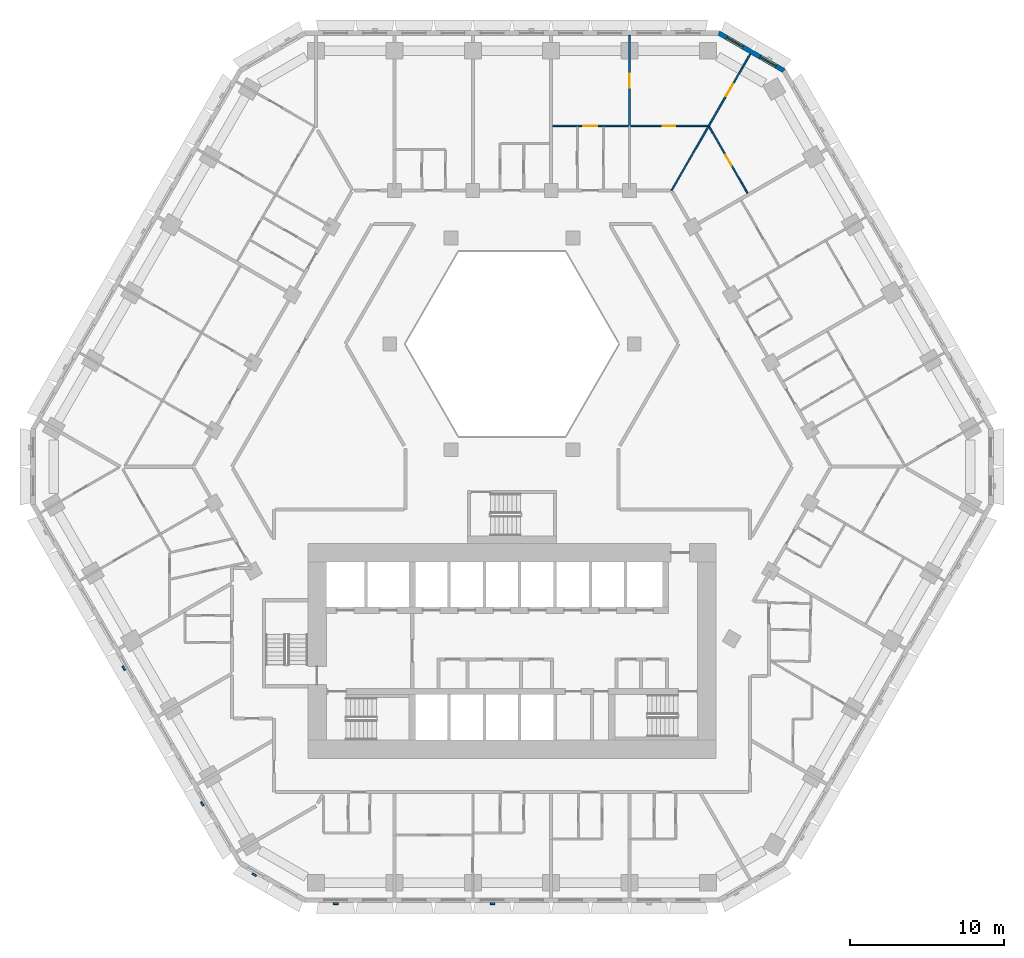
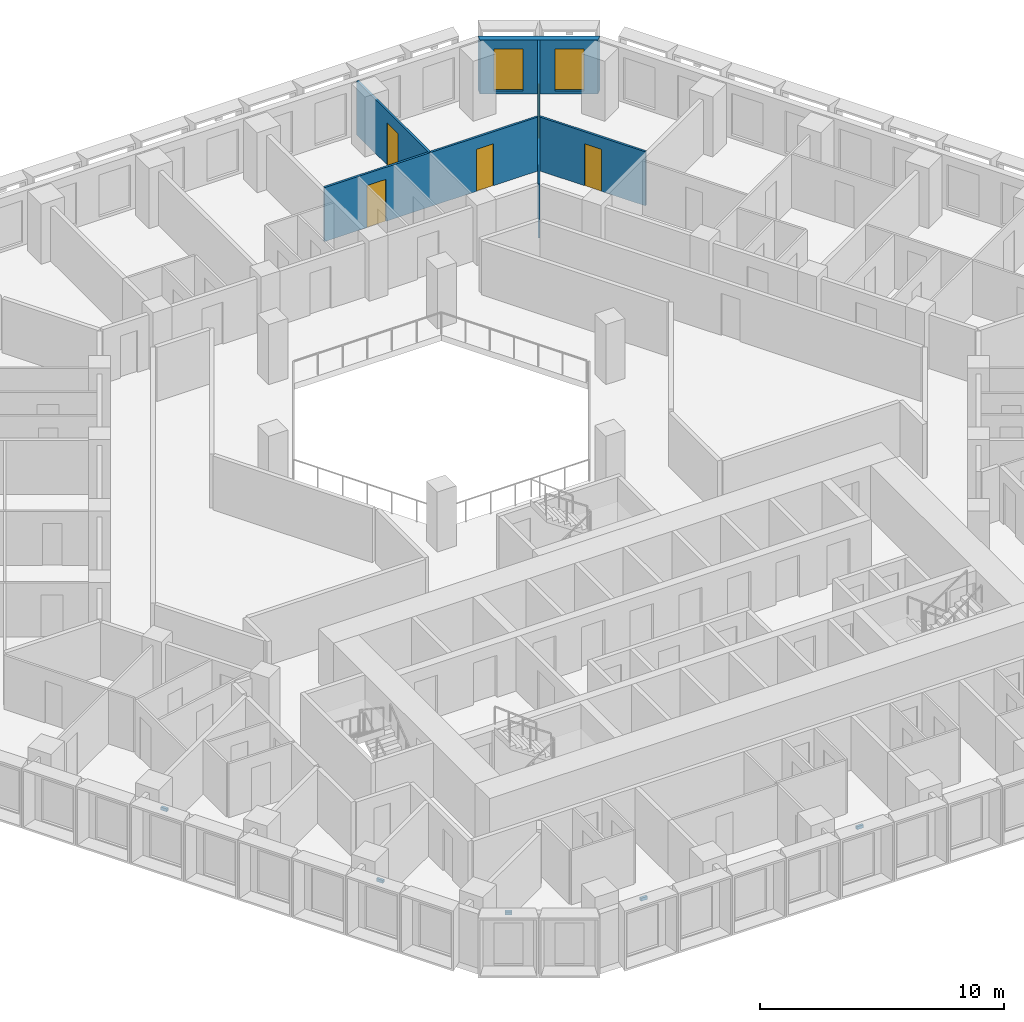
# One storey, part 12 of 21: 5 discrete accessories, 5 doors, 5 walls, 2 windows, 7 openings.
"""IFC4 building model written with IfcOpenShell, lengths in metres."""

from ifc_helpers import new_model, si_unit, direction, frame, frame_2d, origin, place, context, subcontext, project, spatial, polyline, rectangle, outline, extrude, source, transform, mapped, material, layer, layer_set, type_object, type_shapes, element, fill, save


model = new_model("IFC4")

# Units and contexts
model_context = context("Model", 3, precision=1e-05, world=origin(), true_north=direction((0.0, 1.0)))
body_context = subcontext(model_context, "Body", "Model", "MODEL_VIEW")
ifc_project = project(units=[si_unit("LENGTHUNIT", "METRE"), si_unit("AREAUNIT", "SQUARE_METRE"), si_unit("VOLUMEUNIT", "CUBIC_METRE"), si_unit("PLANEANGLEUNIT", "RADIAN"), si_unit("MASSUNIT", "GRAM", prefix="KILO")], contexts=[model_context])

# Site, building, storey
site_placement = place(None, origin())
site = spatial("IfcSite", under=ifc_project, at=site_placement, CompositionType="ELEMENT")
building_placement = place(site_placement, origin())
building = spatial("IfcBuilding", under=site, at=building_placement, Name="Beryl Residences", CompositionType="ELEMENT")
storey_placement = place(building_placement, frame((0.0, 0.0, 35.39990234375)))
storey = spatial("IfcBuildingStorey", under=building, at=storey_placement, Name="L10", CompositionType="ELEMENT", Elevation=35.39990234375)

# Wall, openings, windows
ifc_material_1 = material(Name="Composite metal panel with mineral wool insulation")
ifc_layer_1 = layer(ifc_material_1, 0.300048828125)
ifc_layer_set_1 = layer_set([ifc_layer_1], Name="ES1 pale metal composite panel wall 300 mm")
wall_type_1 = type_object("IfcWallType", Name="ES1 pale metal composite panel wall 300 mm", PredefinedType="SOLIDWALL", material=ifc_layer_set_1)
wall_1_placement = place(storey_placement, frame((17.764892578125, 25.77001953125, 0.0), z_axis=(0.0, 0.0, 1.0), x_axis=(-0.866010750942, 0.50002537861, 0.0)))
wall_1 = element("IfcWall", 1, at=wall_1_placement, inside=storey, type_object=wall_type_1, Name="ES1 external wall L10 NE-N", PredefinedType="SOLIDWALL", context=body_context, shape_type="SweptSolid", body=[
    extrude(outline(polyline([(0.0, -0.14990234375), (4.999755859375, -0.14990234375), (4.91943359375, 0.14990234375), (0.080322265625, 0.14990234375), (0.0, -0.14990234375)])), origin(), (0.0, 0.0, 1.0), 2.7001953125),
])
opening_1_placement = place(wall_1_placement, frame((0.64990234375, 0.0, 0.14990234375)))
opening_1 = element("IfcOpeningElement", 2, at=opening_1_placement, cuts=wall_1, Name="Opening W2", PredefinedType="OPENING", context=body_context, shape_type="SweptSolid", body=[
    extrude(rectangle(XDim=1.199951171875, YDim=2.10009765625, at=frame_2d((0.60009765625, 1.050048828125))), frame((0.0, 0.159912109375, 0.0), z_axis=(0.0, -1.0, 0.0), x_axis=(1.0, 0.0, 0.0)), (0.0, 0.0, 1.0), 0.320068359375),
])
opening_2_placement = place(wall_1_placement, frame((3.14990234375, 0.0, 0.14990234375)))
opening_2 = element("IfcOpeningElement", 3, at=opening_2_placement, cuts=wall_1, Name="Opening W2", PredefinedType="OPENING", context=body_context, shape_type="SweptSolid", body=[
    extrude(rectangle(XDim=1.199951171875, YDim=2.10009765625, at=frame_2d((0.60009765625, 1.050048828125))), frame((0.0, 0.159912109375, 0.0), z_axis=(0.0, -1.0, 0.0), x_axis=(1.0, 0.0, 0.0)), (0.0, 0.0, 1.0), 0.320068359375),
])
ifc_material_2 = material(Name="Aluminium and clear glass", Category="aluminium")
window_type = type_object("IfcWindowType", Name="W2 chamfer window 1200 x 2100 mm", PartitioningType="SINGLE_PANEL", PredefinedType="WINDOW", material=ifc_material_2)
window_1_placement = place(opening_1_placement, origin())
window_1 = element("IfcWindow", 4, at=window_1_placement, inside=storey, type_object=window_type, Name="W2 window L10 NE-N 1", OverallHeight=2.10009765625, OverallWidth=1.199951171875, PartitioningType="SINGLE_PANEL", PredefinedType="WINDOW", context=body_context, shape_type="SweptSolid", body=[
    extrude(rectangle(XDim=1.199951171875, YDim=2.10009765625, at=frame_2d((0.60009765625, 1.050048828125))), frame((0.0, 0.030029296875, 0.0), z_axis=(0.0, -1.0, 0.0), x_axis=(1.0, 0.0, 0.0)), (0.0, 0.0, 1.0), 0.06005859375),
])
fill(opening_1, window_1)
window_2_placement = place(opening_2_placement, origin())
window_2 = element("IfcWindow", 5, at=window_2_placement, inside=storey, type_object=window_type, Name="W2 window L10 NE-N 2", OverallHeight=2.10009765625, OverallWidth=1.199951171875, PartitioningType="SINGLE_PANEL", PredefinedType="WINDOW", context=body_context, shape_type="SweptSolid", body=[
    extrude(rectangle(XDim=1.199951171875, YDim=2.10009765625, at=frame_2d((0.60009765625, 1.050048828125))), frame((0.0, 0.030029296875, 0.0), z_axis=(0.0, -1.0, 0.0), x_axis=(1.0, 0.0, 0.0)), (0.0, 0.0, 1.0), 0.06005859375),
])
fill(opening_2, window_2)

# Wall, opening, door
ifc_material_3 = material(Name="Gypsum board partition on steel studs", Category="steel")
ifc_layer_2 = layer(ifc_material_3, 0.10009765625)
ifc_layer_set_2 = layer_set([ifc_layer_2], Name="PT1 partition 100 mm gypsum board on steel studs")
wall_type_2 = type_object("IfcWallType", Name="PT1 partition 100 mm gypsum board on steel studs", PredefinedType="PARTITIONING", material=ifc_layer_set_2)
wall_2_placement = place(storey_placement, frame((12.845947265625, 22.14990234375, 0.0), z_axis=(0.0, 0.0, 1.0), x_axis=(0.500002715276, -0.866023836113, 0.0)))
wall_2 = element("IfcWall", 6, at=wall_2_placement, inside=storey, type_object=wall_type_2, Name="Wall PT1 L10 004", PredefinedType="PARTITIONING", context=body_context, shape_type="SweptSolid", body=[
    extrude(rectangle(XDim=5.001953125, YDim=0.10009765625, at=frame_2d((2.5009765625, 0.0))), origin(), (0.0, 0.0, 1.0), 2.7001953125),
])
opening_3_placement = place(wall_2_placement, frame((2.1220703125, 0.0, 0.0)))
opening_3 = element("IfcOpeningElement", 7, at=opening_3_placement, cuts=wall_2, Name="Opening D0148", PredefinedType="OPENING", context=body_context, shape_type="SweptSolid", body=[
    extrude(rectangle(XDim=0.800048828125, YDim=2.10009765625, at=frame_2d((0.39990234375, 1.050048828125))), frame((0.0, 0.06005859375, 0.0), z_axis=(0.0, -1.0, 0.0), x_axis=(1.0, 0.0, 0.0)), (0.0, 0.0, 1.0), 0.1201171875),
])
ifc_material_4 = material(Name="Timber door leaf", Category="wood")
door_type_1 = type_object("IfcDoorType", Name="D3 bathroom door 800 x 2100 mm", OperationType="SINGLE_SWING_LEFT", PredefinedType="DOOR", material=ifc_material_4)
door_1_placement = place(opening_3_placement, origin())
door_1 = element("IfcDoor", 8, at=door_1_placement, inside=storey, type_object=door_type_1, Name="Door D0148 L10 001", OperationType="SINGLE_SWING_RIGHT", OverallHeight=2.10009765625, OverallWidth=0.800048828125, PredefinedType="DOOR", context=body_context, shape_type="SweptSolid", body=[
    extrude(rectangle(XDim=0.800048828125, YDim=2.10009765625, at=frame_2d((0.39990234375, 1.050048828125))), frame((0.0, 0.02490234375, 0.0), z_axis=(0.0, -1.0, 0.0), x_axis=(1.0, 0.0, 0.0)), (0.0, 0.0, 1.0), 0.050048828125),
])
fill(opening_3, door_1)

# Wall, openings, doors
wall_3_placement = place(storey_placement, frame((2.65087890625, 22.199951171875, 0.0), z_axis=(0.0, 0.0, 1.0), x_axis=(1.0, 0.0, 0.0)))
wall_3 = element("IfcWall", 9, at=wall_3_placement, inside=storey, type_object=wall_type_2, Name="Wall PT1 L10 034", PredefinedType="PARTITIONING", context=body_context, shape_type="SweptSolid", body=[
    extrude(rectangle(XDim=10.109130859375, YDim=0.10009765625, at=frame_2d((5.0546875, 0.0))), origin(), (0.0, 0.0, 1.0), 2.7001953125),
])
opening_4_placement = place(wall_3_placement, frame((2.001953125, 0.0, 0.0)))
opening_4 = element("IfcOpeningElement", 10, at=opening_4_placement, cuts=wall_3, Name="Opening D0144", PredefinedType="OPENING", context=body_context, shape_type="SweptSolid", body=[
    extrude(rectangle(XDim=0.89990234375, YDim=2.10009765625, at=frame_2d((0.449951171875, 1.050048828125))), frame((0.0, 0.06005859375, 0.0), z_axis=(0.0, -1.0, 0.0), x_axis=(1.0, 0.0, 0.0)), (0.0, 0.0, 1.0), 0.1201171875),
])
opening_5_placement = place(wall_3_placement, frame((7.18505859375, 0.0, 0.0)))
opening_5 = element("IfcOpeningElement", 11, at=opening_5_placement, cuts=wall_3, Name="Opening D0147", PredefinedType="OPENING", context=body_context, shape_type="SweptSolid", body=[
    extrude(rectangle(XDim=0.800048828125, YDim=2.10009765625, at=frame_2d((0.39990234375, 1.050048828125))), frame((0.0, 0.06005859375, 0.0), z_axis=(0.0, -1.0, 0.0), x_axis=(1.0, 0.0, 0.0)), (0.0, 0.0, 1.0), 0.1201171875),
])
ifc_material_5 = material(Name="Timber door leaf", Category="wood")
door_type_2 = type_object("IfcDoorType", Name="D2 room door 900 x 2100 mm", OperationType="SINGLE_SWING_LEFT", PredefinedType="DOOR", material=ifc_material_5)
door_2_placement = place(opening_4_placement, origin())
door_2 = element("IfcDoor", 12, at=door_2_placement, inside=storey, type_object=door_type_2, Name="Door D0144 L10 001", OperationType="SINGLE_SWING_RIGHT", OverallHeight=2.10009765625, OverallWidth=0.89990234375, PredefinedType="DOOR", context=body_context, shape_type="SweptSolid", body=[
    extrude(rectangle(XDim=0.89990234375, YDim=2.10009765625, at=frame_2d((0.449951171875, 1.050048828125))), frame((0.0, 0.02490234375, 0.0), z_axis=(0.0, -1.0, 0.0), x_axis=(1.0, 0.0, 0.0)), (0.0, 0.0, 1.0), 0.050048828125),
])
fill(opening_4, door_2)
door_3_placement = place(opening_5_placement, origin())
door_3 = element("IfcDoor", 13, at=door_3_placement, inside=storey, type_object=door_type_1, Name="Door D0147 L10 001", OperationType="SINGLE_SWING_LEFT", OverallHeight=2.10009765625, OverallWidth=0.800048828125, PredefinedType="DOOR", context=body_context, shape_type="SweptSolid", body=[
    extrude(rectangle(XDim=0.800048828125, YDim=2.10009765625, at=frame_2d((0.39990234375, 1.050048828125))), frame((0.0, 0.02490234375, 0.0), z_axis=(0.0, -1.0, 0.0), x_axis=(1.0, 0.0, 0.0)), (0.0, 0.0, 1.0), 0.050048828125),
])
fill(opening_5, door_3)

# Wall, opening, door
wall_4_placement = place(storey_placement, frame((10.39306640625, 18.0, 0.0), z_axis=(0.0, 0.0, 1.0), x_axis=(0.499945497007, 0.866056868816, 0.0)))
wall_4 = element("IfcWall", 14, at=wall_4_placement, inside=storey, type_object=wall_type_2, Name="Wall PT1 L10 038", PredefinedType="PARTITIONING", context=body_context, shape_type="SweptSolid", body=[
    extrude(rectangle(XDim=10.264892578125, YDim=0.10009765625, at=frame_2d((5.13232421875, 0.0))), origin(), (0.0, 0.0, 1.0), 2.7001953125),
])
opening_6_placement = place(wall_4_placement, frame((7.10791015625, 0.0, 0.0)))
opening_6 = element("IfcOpeningElement", 15, at=opening_6_placement, cuts=wall_4, Name="Opening D0146", PredefinedType="OPENING", context=body_context, shape_type="SweptSolid", body=[
    extrude(rectangle(XDim=0.89990234375, YDim=2.10009765625, at=frame_2d((0.449951171875, 1.050048828125))), frame((0.0, 0.06005859375, 0.0), z_axis=(0.0, -1.0, 0.0), x_axis=(1.0, 0.0, 0.0)), (0.0, 0.0, 1.0), 0.1201171875),
])
door_4_placement = place(opening_6_placement, origin())
door_4 = element("IfcDoor", 16, at=door_4_placement, inside=storey, type_object=door_type_2, Name="Door D0146 L10 001", OperationType="SINGLE_SWING_RIGHT", OverallHeight=2.10009765625, OverallWidth=0.89990234375, PredefinedType="DOOR", context=body_context, shape_type="SweptSolid", body=[
    extrude(rectangle(XDim=0.89990234375, YDim=2.10009765625, at=frame_2d((0.449951171875, 1.050048828125))), frame((0.0, 0.02490234375, 0.0), z_axis=(0.0, -1.0, 0.0), x_axis=(1.0, 0.0, 0.0)), (0.0, 0.0, 1.0), 0.050048828125),
])
fill(opening_6, door_4)

wall_5_placement = place(storey_placement, frame((7.655029296875, 22.199951171875, 0.0), z_axis=(0.0, 0.0, 1.0), x_axis=(0.0, 1.0, 0.0)))
wall_5 = element("IfcWall", 17, at=wall_5_placement, inside=storey, type_object=wall_type_2, Name="Wall PT1 L10 076", PredefinedType="PARTITIONING", context=body_context, shape_type="SweptSolid", body=[
    extrude(rectangle(XDim=5.900146484375, YDim=0.10009765625, at=frame_2d((2.9501953125, 0.0))), origin(), (0.0, 0.0, 1.0), 2.7001953125),
])
opening_7_placement = place(wall_5_placement, frame((2.5, 0.0, 0.0)))
opening_7 = element("IfcOpeningElement", 18, at=opening_7_placement, cuts=wall_5, Name="Opening D0145", PredefinedType="OPENING", context=body_context, shape_type="SweptSolid", body=[
    extrude(rectangle(XDim=0.89990234375, YDim=2.10009765625, at=frame_2d((0.449951171875, 1.050048828125))), frame((0.0, 0.06005859375, 0.0), z_axis=(0.0, -1.0, 0.0), x_axis=(1.0, 0.0, 0.0)), (0.0, 0.0, 1.0), 0.1201171875),
])
door_5_placement = place(opening_7_placement, origin())
door_5 = element("IfcDoor", 19, at=door_5_placement, inside=storey, type_object=door_type_2, Name="Door D0145 L10 001", OperationType="SINGLE_SWING_LEFT", OverallHeight=2.10009765625, OverallWidth=0.89990234375, PredefinedType="DOOR", context=body_context, shape_type="SweptSolid", body=[
    extrude(rectangle(XDim=0.89990234375, YDim=2.10009765625, at=frame_2d((0.449951171875, 1.050048828125))), frame((0.0, 0.02490234375, 0.0), z_axis=(0.0, -1.0, 0.0), x_axis=(1.0, 0.0, 0.0)), (0.0, 0.0, 1.0), 0.050048828125),
])
fill(opening_7, door_5)

# Discrete accessories
ifc_material_6 = material(Name="Steel S355", Category="steel")
discrete_accessory_type = type_object("IfcDiscreteAccessoryType", Name="BR1 frame bracket 300 x 120 x 150 mm", PredefinedType="BRACKET", material=ifc_material_6)
shared_shape = source(origin(), body_context, "Body", "SweptSolid", [
    extrude(outline(polyline([(-0.14990234375, 0.0), (0.14990234375, 0.0), (0.14990234375, 0.1201171875), (-0.14990234375, 0.1201171875), (-0.14990234375, 0.0)])), origin(), (0.0, 0.0, 1.0), 0.14990234375),
])
type_shapes(discrete_accessory_type, [shared_shape])
for number, where, z_axis, x_axis, name in (
    (20, (-25.23193359375, -13.095947265625, 2.75), (0.0, 0.0, 1.0), (-0.5, 0.866025403784, 0.0), "BR1 bracket L10 SW 5"),
    (21, (-20.12890625, -21.93603515625, 2.75), (0.0, 0.0, 1.0), (-0.5, 0.866025403784, 0.0), "BR1 bracket L10 SW 9"),
    (22, (-16.758056640625, -26.52490234375, 2.75), (0.0, 0.0, 1.0), (-0.866025403784, 0.5, 0.0), "BR1 bracket L10 SW-S 1"),
    (23, (-11.48291015625, -28.39990234375, 2.75), (0.0, 0.0, 1.0), (-1.0, 0.0, 0.0), "BR1 bracket L10 S 1"),
    (24, (-1.27490234375, -28.39990234375, 2.75), (0.0, 0.0, 1.0), (-1.0, 0.0, 0.0), "BR1 bracket L10 S 5"),
):
    element("IfcDiscreteAccessory", number, at=place(storey_placement, frame(where, z_axis=z_axis, x_axis=x_axis)), inside=storey, type_object=discrete_accessory_type, Name=name, PredefinedType="BRACKET", context=body_context, shape_type="MappedRepresentation", body=[
        mapped(shared_shape, transform((0.0, 0.0, 0.0))),
    ])

save(model, "model.ifc")
